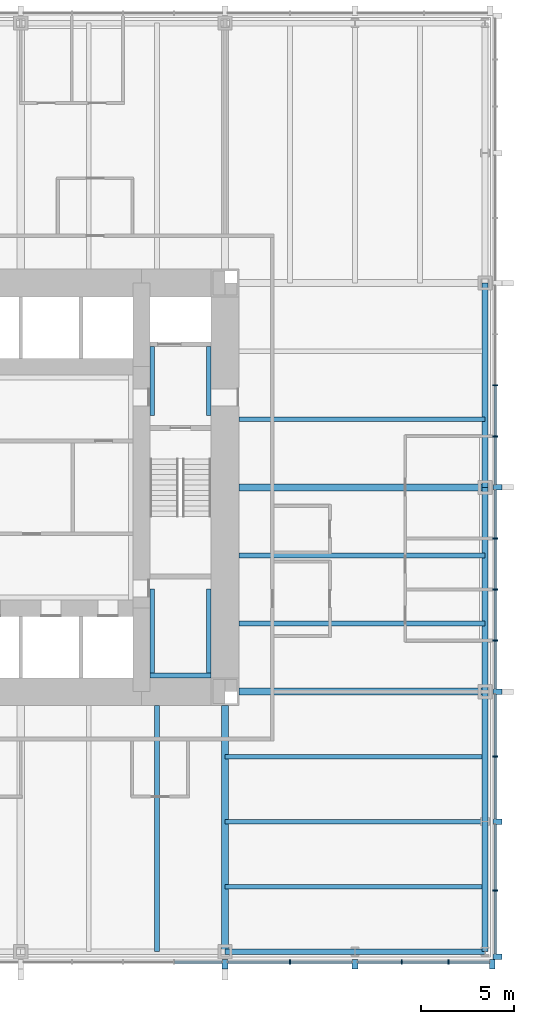
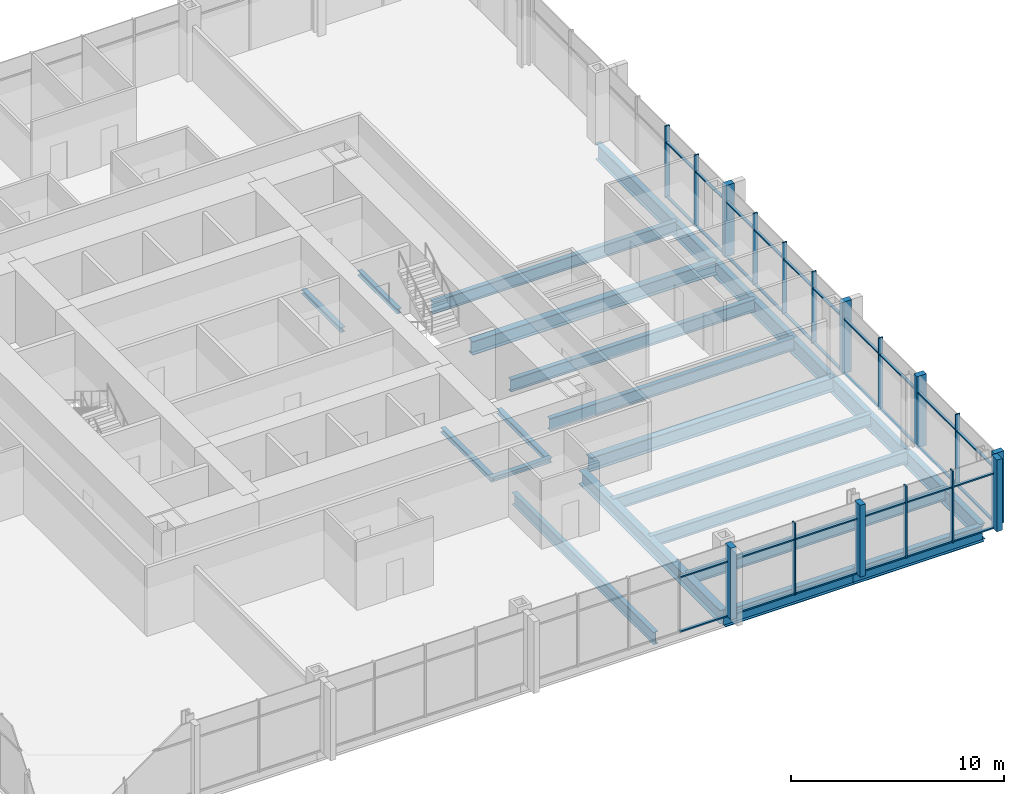
# One storey, part 4 of 12: 49 members, 21 beams, 2 elements without a shape of their own.
"""IFC4 building model written with IfcOpenShell, lengths in metres."""

from ifc_helpers import new_model, si_unit, direction, frame, origin, origin_2d, place, context, subcontext, project, spatial, rectangle, i_section, extrude, material, material_profile, profile_set, type_object, element, aggregate, save


model = new_model("IFC4")

# Units and contexts
model_context = context("Model", 3, precision=1e-05, world=origin(), true_north=direction((0.0, 1.0)))
body_context = subcontext(model_context, "Body", "Model", "MODEL_VIEW")
ifc_project = project(units=[si_unit("LENGTHUNIT", "METRE"), si_unit("AREAUNIT", "SQUARE_METRE"), si_unit("VOLUMEUNIT", "CUBIC_METRE"), si_unit("PLANEANGLEUNIT", "RADIAN"), si_unit("MASSUNIT", "GRAM", prefix="KILO")], contexts=[model_context])

# Site, building, storey
site_placement = place(None, origin())
site = spatial("IfcSite", under=ifc_project, at=site_placement, CompositionType="ELEMENT")
building_placement = place(site_placement, origin())
building = spatial("IfcBuilding", under=site, at=building_placement, Name="Trevanion Tower", CompositionType="ELEMENT")
storey_placement = place(building_placement, frame((0.0, 0.0, 20.10009765625)))
storey = spatial("IfcBuildingStorey", under=building, at=storey_placement, Name="L04", CompositionType="ELEMENT", Elevation=20.10009765625)

# Beams
ifc_material_1 = material(Name="Steel ASTM A992 Grade 50", Category="steel")
ifc_material_profile_1 = material_profile(ifc_material_1, i_section(OverallWidth=0.25390625, OverallDepth=0.700927734375, WebThickness=0.015380859375, FlangeThickness=0.02783203125, at=origin_2d()), Name="W27X129")
ifc_profile_set_1 = profile_set([ifc_material_profile_1], Name="Steel ASTM A992 Grade 50")
beam_type_1 = type_object("IfcBeamType", Name="B3 W27X129", PredefinedType="BEAM", material=ifc_profile_set_1)
for number, where, z_axis, x_axis, name in (
    (1, (11.75, -7.333251953125, -0.54052734375), (1.0, 0.0, 0.0), (0.0, 1.0, 0.0), "B3 L04"),
    (2, (11.75, -3.666748046875, -0.54052734375), (1.0, 0.0, 0.0), (0.0, 1.0, 0.0), "B3 L04"),
    (3, (11.75, 3.666748046875, -0.54052734375), (1.0, 0.0, 0.0), (0.0, 1.0, 0.0), "B3 L04"),
    (4, (7.333251953125, -11.75, -0.54052734375), (0.0, -1.0, 0.0), (1.0, 0.0, 0.0), "B3 L04"),
):
    element("IfcBeam", number, at=place(storey_placement, frame(where, z_axis=z_axis, x_axis=x_axis)), inside=storey, type_object=beam_type_1, Name=name, PredefinedType="BEAM", context=body_context, shape_type="SweptSolid", body=[
        extrude(i_section(OverallWidth=0.25390625, OverallDepth=0.700927734375, WebThickness=0.015380859375, FlangeThickness=0.02783203125, at=origin_2d()), origin(), (0.0, 0.0, 1.0), 13.25),
    ])
ifc_material_2 = material(Name="Steel ASTM A992 Grade 50", Category="steel")
ifc_material_profile_2 = material_profile(ifc_material_2, i_section(OverallWidth=0.256591796875, OverallDepth=0.693359375, WebThickness=0.014404296875, FlangeThickness=0.023681640625, at=origin_2d()), Name="W27X114")
ifc_profile_set_2 = profile_set([ifc_material_profile_2], Name="Steel ASTM A992 Grade 50")
beam_type_2 = type_object("IfcBeamType", Name="B4 W27X114", PredefinedType="BEAM", material=ifc_profile_set_2)
for number, where, z_axis, x_axis, name in (
    (5, (11.0, -14.5, -0.536865234375), (1.0, 0.0, 0.0), (0.0, 1.0, 0.0), "B4 L04"),
    (6, (11.0, -18.0, -0.536865234375), (1.0, 0.0, 0.0), (0.0, 1.0, 0.0), "B4 L04"),
    (7, (11.0, -21.5, -0.536865234375), (1.0, 0.0, 0.0), (0.0, 1.0, 0.0), "B4 L04"),
):
    element("IfcBeam", number, at=place(storey_placement, frame(where, z_axis=z_axis, x_axis=x_axis)), inside=storey, type_object=beam_type_2, Name=name, PredefinedType="BEAM", context=body_context, shape_type="SweptSolid", body=[
        extrude(i_section(OverallWidth=0.256591796875, OverallDepth=0.693359375, WebThickness=0.014404296875, FlangeThickness=0.023681640625, at=origin_2d()), origin(), (0.0, 0.0, 1.0), 14.0),
    ])

# Curtain wall, members
ifc_material_3 = material(Name="Aluminium and glass", Category="aluminium")
curtain_wall_type = type_object("IfcCurtainWallType", Name="CW1 curtain wall", PredefinedType="USERDEFINED", material=ifc_material_3)
curtain_wall_1_placement = place(storey_placement, origin())
curtain_wall_1 = element("IfcCurtainWall", 8, at=curtain_wall_1_placement, inside=storey, type_object=curtain_wall_type, Name="CW1 L04 0", ObjectType="UNITISED CURTAIN WALL", PredefinedType="USERDEFINED")
ifc_material_4 = material(Name="Aluminium extrusion, anodised bronze", Category="aluminium")
ifc_material_profile_3 = material_profile(ifc_material_4, rectangle(XDim=0.074951171875, YDim=0.25, at=origin_2d()), Name="CW1 mullion")
ifc_profile_set_3 = profile_set([ifc_material_profile_3], Name="Aluminium extrusion, anodised bronze")
member_type_1 = type_object("IfcMemberType", Name="CW1 mullion", PredefinedType="MULLION", material=ifc_profile_set_3)
member_1_placement = place(storey_placement, frame((25.550048828125, -21.7099609375, -0.190185546875), z_axis=(0.0, 0.0, 1.0), x_axis=(0.0, 1.0, 0.0)))
member_1 = element("IfcMember", 9, at=member_1_placement, type_object=member_type_1, Name="CW1 mullion 2", PredefinedType="MULLION", context=body_context, shape_type="SweptSolid", body=[
    extrude(rectangle(XDim=0.074951171875, YDim=0.25, at=origin_2d()), origin(), (0.0, 0.0, 1.0), 4.10009765625),
])
member_2_placement = place(storey_placement, frame((25.550048828125, -14.5, -0.190185546875), z_axis=(0.0, 0.0, 1.0), x_axis=(0.0, 1.0, 0.0)))
member_2 = element("IfcMember", 10, at=member_2_placement, type_object=member_type_1, Name="CW1 mullion 4", PredefinedType="MULLION", context=body_context, shape_type="SweptSolid", body=[
    extrude(rectangle(XDim=0.074951171875, YDim=0.25, at=origin_2d()), origin(), (0.0, 0.0, 1.0), 4.10009765625),
])
member_3_placement = place(storey_placement, frame((25.550048828125, -8.25, -0.190185546875), z_axis=(0.0, 0.0, 1.0), x_axis=(0.0, 1.0, 0.0)))
member_3 = element("IfcMember", 11, at=member_3_placement, type_object=member_type_1, Name="CW1 mullion 6", PredefinedType="MULLION", context=body_context, shape_type="SweptSolid", body=[
    extrude(rectangle(XDim=0.074951171875, YDim=0.25, at=origin_2d()), origin(), (0.0, 0.0, 1.0), 4.10009765625),
])
member_4_placement = place(storey_placement, frame((25.550048828125, -5.5, -0.190185546875), z_axis=(0.0, 0.0, 1.0), x_axis=(0.0, 1.0, 0.0)))
member_4 = element("IfcMember", 12, at=member_4_placement, type_object=member_type_1, Name="CW1 mullion 7", PredefinedType="MULLION", context=body_context, shape_type="SweptSolid", body=[
    extrude(rectangle(XDim=0.074951171875, YDim=0.25, at=origin_2d()), origin(), (0.0, 0.0, 1.0), 4.10009765625),
])
member_5_placement = place(storey_placement, frame((25.550048828125, -2.75, -0.190185546875), z_axis=(0.0, 0.0, 1.0), x_axis=(0.0, 1.0, 0.0)))
member_5 = element("IfcMember", 13, at=member_5_placement, type_object=member_type_1, Name="CW1 mullion 8", PredefinedType="MULLION", context=body_context, shape_type="SweptSolid", body=[
    extrude(rectangle(XDim=0.074951171875, YDim=0.25, at=origin_2d()), origin(), (0.0, 0.0, 1.0), 4.10009765625),
])
member_6_placement = place(storey_placement, frame((25.550048828125, 2.75, -0.190185546875), z_axis=(0.0, 0.0, 1.0), x_axis=(0.0, 1.0, 0.0)))
member_6 = element("IfcMember", 14, at=member_6_placement, type_object=member_type_1, Name="CW1 mullion 10", PredefinedType="MULLION", context=body_context, shape_type="SweptSolid", body=[
    extrude(rectangle(XDim=0.074951171875, YDim=0.25, at=origin_2d()), origin(), (0.0, 0.0, 1.0), 4.10009765625),
])
member_7_placement = place(storey_placement, frame((25.550048828125, 5.5, -0.190185546875), z_axis=(0.0, 0.0, 1.0), x_axis=(0.0, 1.0, 0.0)))
member_7 = element("IfcMember", 15, at=member_7_placement, type_object=member_type_1, Name="CW1 mullion 11", PredefinedType="MULLION", context=body_context, shape_type="SweptSolid", body=[
    extrude(rectangle(XDim=0.074951171875, YDim=0.25, at=origin_2d()), origin(), (0.0, 0.0, 1.0), 4.10009765625),
])

curtain_wall_2_placement = place(storey_placement, origin())
curtain_wall_2 = element("IfcCurtainWall", 16, at=curtain_wall_2_placement, inside=storey, type_object=curtain_wall_type, Name="CW1 L04 3", ObjectType="UNITISED CURTAIN WALL", PredefinedType="USERDEFINED")
member_8_placement = place(storey_placement, frame((14.5, -25.550048828125, -0.190185546875), z_axis=(0.0, 0.0, 1.0), x_axis=(1.0, 0.0, 0.0)))
member_8 = element("IfcMember", 17, at=member_8_placement, type_object=member_type_1, Name="CW1 mullion 14", PredefinedType="MULLION", context=body_context, shape_type="SweptSolid", body=[
    extrude(rectangle(XDim=0.074951171875, YDim=0.25, at=origin_2d()), origin(), (0.0, 0.0, 1.0), 4.10009765625),
])
member_9_placement = place(storey_placement, frame((20.5166015625, -25.550048828125, -0.190185546875), z_axis=(0.0, 0.0, 1.0), x_axis=(1.0, 0.0, 0.0)))
member_9 = element("IfcMember", 18, at=member_9_placement, type_object=member_type_1, Name="CW1 mullion 16", PredefinedType="MULLION", context=body_context, shape_type="SweptSolid", body=[
    extrude(rectangle(XDim=0.074951171875, YDim=0.25, at=origin_2d()), origin(), (0.0, 0.0, 1.0), 4.10009765625),
])
member_10_placement = place(storey_placement, frame((23.033203125, -25.550048828125, -0.190185546875), z_axis=(0.0, 0.0, 1.0), x_axis=(1.0, 0.0, 0.0)))
member_10 = element("IfcMember", 19, at=member_10_placement, type_object=member_type_1, Name="CW1 mullion 17", PredefinedType="MULLION", context=body_context, shape_type="SweptSolid", body=[
    extrude(rectangle(XDim=0.074951171875, YDim=0.25, at=origin_2d()), origin(), (0.0, 0.0, 1.0), 4.10009765625),
])

# Member
ifc_material_5 = material(Name="Aluminium extrusion, anodised bronze", Category="aluminium")
ifc_material_profile_4 = material_profile(ifc_material_5, rectangle(XDim=0.300048828125, YDim=0.5, at=origin_2d()), Name="CW1 pier mullion")
ifc_profile_set_4 = profile_set([ifc_material_profile_4], Name="Aluminium extrusion, anodised bronze")
member_type_2 = type_object("IfcMemberType", Name="CW1 pier mullion", PredefinedType="MULLION", material=ifc_profile_set_4)
member_11_placement = place(storey_placement, frame((25.675048828125, -25.27001953125, -0.190185546875), z_axis=(0.0, 0.0, 1.0), x_axis=(0.0, 1.0, 0.0)))
member_11 = element("IfcMember", 20, at=member_11_placement, type_object=member_type_2, Name="CW1 pier mullion 1", PredefinedType="MULLION", context=body_context, shape_type="SweptSolid", body=[
    extrude(rectangle(XDim=0.300048828125, YDim=0.5, at=origin_2d()), origin(), (0.0, 0.0, 1.0), 4.10009765625),
])

member_12_placement = place(storey_placement, frame((25.675048828125, -18.0, -0.190185546875), z_axis=(0.0, 0.0, 1.0), x_axis=(0.0, 1.0, 0.0)))
member_12 = element("IfcMember", 21, at=member_12_placement, type_object=member_type_2, Name="CW1 pier mullion 3", PredefinedType="MULLION", context=body_context, shape_type="SweptSolid", body=[
    extrude(rectangle(XDim=0.300048828125, YDim=0.5, at=origin_2d()), origin(), (0.0, 0.0, 1.0), 4.10009765625),
])

member_13_placement = place(storey_placement, frame((25.675048828125, -11.0, -0.190185546875), z_axis=(0.0, 0.0, 1.0), x_axis=(0.0, 1.0, 0.0)))
member_13 = element("IfcMember", 22, at=member_13_placement, type_object=member_type_2, Name="CW1 pier mullion 5", PredefinedType="MULLION", context=body_context, shape_type="SweptSolid", body=[
    extrude(rectangle(XDim=0.300048828125, YDim=0.5, at=origin_2d()), origin(), (0.0, 0.0, 1.0), 4.10009765625),
])

member_14_placement = place(storey_placement, frame((25.675048828125, 0.0, -0.190185546875), z_axis=(0.0, 0.0, 1.0), x_axis=(0.0, 1.0, 0.0)))
member_14 = element("IfcMember", 23, at=member_14_placement, type_object=member_type_2, Name="CW1 pier mullion 9", PredefinedType="MULLION", context=body_context, shape_type="SweptSolid", body=[
    extrude(rectangle(XDim=0.300048828125, YDim=0.5, at=origin_2d()), origin(), (0.0, 0.0, 1.0), 4.10009765625),
])

member_15_placement = place(storey_placement, frame((11.0, -25.675048828125, -0.190185546875), z_axis=(0.0, 0.0, 1.0), x_axis=(1.0, 0.0, 0.0)))
member_15 = element("IfcMember", 24, at=member_15_placement, type_object=member_type_2, Name="CW1 pier mullion 13", PredefinedType="MULLION", context=body_context, shape_type="SweptSolid", body=[
    extrude(rectangle(XDim=0.300048828125, YDim=0.5, at=origin_2d()), origin(), (0.0, 0.0, 1.0), 4.10009765625),
])

member_16_placement = place(storey_placement, frame((18.0, -25.675048828125, -0.190185546875), z_axis=(0.0, 0.0, 1.0), x_axis=(1.0, 0.0, 0.0)))
member_16 = element("IfcMember", 25, at=member_16_placement, type_object=member_type_2, Name="CW1 pier mullion 15", PredefinedType="MULLION", context=body_context, shape_type="SweptSolid", body=[
    extrude(rectangle(XDim=0.300048828125, YDim=0.5, at=origin_2d()), origin(), (0.0, 0.0, 1.0), 4.10009765625),
])

member_17_placement = place(storey_placement, frame((25.39990234375, -25.675048828125, -0.190185546875), z_axis=(0.0, 0.0, 1.0), x_axis=(1.0, 0.0, 0.0)))
member_17 = element("IfcMember", 26, at=member_17_placement, type_object=member_type_2, Name="CW1 pier mullion 18", PredefinedType="MULLION", context=body_context, shape_type="SweptSolid", body=[
    extrude(rectangle(XDim=0.300048828125, YDim=0.5, at=origin_2d()), origin(), (0.0, 0.0, 1.0), 4.10009765625),
])

ifc_material_6 = material(Name="Aluminium extrusion, anodised bronze", Category="aluminium")
ifc_material_profile_5 = material_profile(ifc_material_6, rectangle(XDim=0.14990234375, YDim=0.074951171875, at=origin_2d()), Name="CW1 transom")
ifc_profile_set_5 = profile_set([ifc_material_profile_5], Name="Aluminium extrusion, anodised bronze")
member_type_3 = type_object("IfcMemberType", Name="CW1 transom", PredefinedType="USERDEFINED", material=ifc_profile_set_5)
member_18_placement = place(storey_placement, frame((25.550048828125, -25.1201171875, -0.152587890625), z_axis=(0.0, 1.0, 0.0), x_axis=(-1.0, 0.0, 0.0)))
member_18 = element("IfcMember", 27, at=member_18_placement, type_object=member_type_3, Name="CW1 transom 1.1", ObjectType="TRANSOM", PredefinedType="USERDEFINED", context=body_context, shape_type="SweptSolid", body=[
    extrude(rectangle(XDim=0.14990234375, YDim=0.074951171875, at=origin_2d()), origin(), (0.0, 0.0, 1.0), 3.37255859375),
])

member_19_placement = place(storey_placement, frame((25.550048828125, -25.1201171875, 2.9599609375), z_axis=(0.0, 1.0, 0.0), x_axis=(-1.0, 0.0, 0.0)))
member_19 = element("IfcMember", 28, at=member_19_placement, type_object=member_type_3, Name="CW1 transom 1.2", ObjectType="TRANSOM", PredefinedType="USERDEFINED", context=body_context, shape_type="SweptSolid", body=[
    extrude(rectangle(XDim=0.14990234375, YDim=0.074951171875, at=origin_2d()), origin(), (0.0, 0.0, 1.0), 3.37255859375),
])

member_20_placement = place(storey_placement, frame((25.550048828125, -21.672607421875, -0.152587890625), z_axis=(0.0, 1.0, 0.0), x_axis=(-1.0, 0.0, 0.0)))
member_20 = element("IfcMember", 29, at=member_20_placement, type_object=member_type_3, Name="CW1 transom 2.1", ObjectType="TRANSOM", PredefinedType="USERDEFINED", context=body_context, shape_type="SweptSolid", body=[
    extrude(rectangle(XDim=0.14990234375, YDim=0.074951171875, at=origin_2d()), origin(), (0.0, 0.0, 1.0), 3.522705078125),
])

member_21_placement = place(storey_placement, frame((25.550048828125, -21.672607421875, 2.9599609375), z_axis=(0.0, 1.0, 0.0), x_axis=(-1.0, 0.0, 0.0)))
member_21 = element("IfcMember", 30, at=member_21_placement, type_object=member_type_3, Name="CW1 transom 2.2", ObjectType="TRANSOM", PredefinedType="USERDEFINED", context=body_context, shape_type="SweptSolid", body=[
    extrude(rectangle(XDim=0.14990234375, YDim=0.074951171875, at=origin_2d()), origin(), (0.0, 0.0, 1.0), 3.522705078125),
])

member_22_placement = place(storey_placement, frame((25.550048828125, -17.85009765625, -0.152587890625), z_axis=(0.0, 1.0, 0.0), x_axis=(-1.0, 0.0, 0.0)))
member_22 = element("IfcMember", 31, at=member_22_placement, type_object=member_type_3, Name="CW1 transom 3.1", ObjectType="TRANSOM", PredefinedType="USERDEFINED", context=body_context, shape_type="SweptSolid", body=[
    extrude(rectangle(XDim=0.14990234375, YDim=0.074951171875, at=origin_2d()), origin(), (0.0, 0.0, 1.0), 3.3125),
])

member_23_placement = place(storey_placement, frame((25.550048828125, -17.85009765625, 2.9599609375), z_axis=(0.0, 1.0, 0.0), x_axis=(-1.0, 0.0, 0.0)))
member_23 = element("IfcMember", 32, at=member_23_placement, type_object=member_type_3, Name="CW1 transom 3.2", ObjectType="TRANSOM", PredefinedType="USERDEFINED", context=body_context, shape_type="SweptSolid", body=[
    extrude(rectangle(XDim=0.14990234375, YDim=0.074951171875, at=origin_2d()), origin(), (0.0, 0.0, 1.0), 3.3125),
])

member_24_placement = place(storey_placement, frame((25.550048828125, -14.46240234375, -0.152587890625), z_axis=(0.0, 1.0, 0.0), x_axis=(-1.0, 0.0, 0.0)))
member_24 = element("IfcMember", 33, at=member_24_placement, type_object=member_type_3, Name="CW1 transom 4.1", ObjectType="TRANSOM", PredefinedType="USERDEFINED", context=body_context, shape_type="SweptSolid", body=[
    extrude(rectangle(XDim=0.14990234375, YDim=0.074951171875, at=origin_2d()), origin(), (0.0, 0.0, 1.0), 3.3125),
])

member_25_placement = place(storey_placement, frame((25.550048828125, -14.46240234375, 2.9599609375), z_axis=(0.0, 1.0, 0.0), x_axis=(-1.0, 0.0, 0.0)))
member_25 = element("IfcMember", 34, at=member_25_placement, type_object=member_type_3, Name="CW1 transom 4.2", ObjectType="TRANSOM", PredefinedType="USERDEFINED", context=body_context, shape_type="SweptSolid", body=[
    extrude(rectangle(XDim=0.14990234375, YDim=0.074951171875, at=origin_2d()), origin(), (0.0, 0.0, 1.0), 3.3125),
])

member_26_placement = place(storey_placement, frame((25.550048828125, -10.85009765625, -0.152587890625), z_axis=(0.0, 1.0, 0.0), x_axis=(-1.0, 0.0, 0.0)))
member_26 = element("IfcMember", 35, at=member_26_placement, type_object=member_type_3, Name="CW1 transom 5.1", ObjectType="TRANSOM", PredefinedType="USERDEFINED", context=body_context, shape_type="SweptSolid", body=[
    extrude(rectangle(XDim=0.14990234375, YDim=0.074951171875, at=origin_2d()), origin(), (0.0, 0.0, 1.0), 2.5625),
])

member_27_placement = place(storey_placement, frame((25.550048828125, -10.85009765625, 2.9599609375), z_axis=(0.0, 1.0, 0.0), x_axis=(-1.0, 0.0, 0.0)))
member_27 = element("IfcMember", 36, at=member_27_placement, type_object=member_type_3, Name="CW1 transom 5.2", ObjectType="TRANSOM", PredefinedType="USERDEFINED", context=body_context, shape_type="SweptSolid", body=[
    extrude(rectangle(XDim=0.14990234375, YDim=0.074951171875, at=origin_2d()), origin(), (0.0, 0.0, 1.0), 2.5625),
])

member_28_placement = place(storey_placement, frame((25.550048828125, -8.21240234375, -0.152587890625), z_axis=(0.0, 1.0, 0.0), x_axis=(-1.0, 0.0, 0.0)))
member_28 = element("IfcMember", 37, at=member_28_placement, type_object=member_type_3, Name="CW1 transom 6.1", ObjectType="TRANSOM", PredefinedType="USERDEFINED", context=body_context, shape_type="SweptSolid", body=[
    extrude(rectangle(XDim=0.14990234375, YDim=0.074951171875, at=origin_2d()), origin(), (0.0, 0.0, 1.0), 2.6748046875),
])

member_29_placement = place(storey_placement, frame((25.550048828125, -8.21240234375, 2.9599609375), z_axis=(0.0, 1.0, 0.0), x_axis=(-1.0, 0.0, 0.0)))
member_29 = element("IfcMember", 38, at=member_29_placement, type_object=member_type_3, Name="CW1 transom 6.2", ObjectType="TRANSOM", PredefinedType="USERDEFINED", context=body_context, shape_type="SweptSolid", body=[
    extrude(rectangle(XDim=0.14990234375, YDim=0.074951171875, at=origin_2d()), origin(), (0.0, 0.0, 1.0), 2.6748046875),
])

member_30_placement = place(storey_placement, frame((25.550048828125, -5.46240234375, -0.152587890625), z_axis=(0.0, 1.0, 0.0), x_axis=(-1.0, 0.0, 0.0)))
member_30 = element("IfcMember", 39, at=member_30_placement, type_object=member_type_3, Name="CW1 transom 7.1", ObjectType="TRANSOM", PredefinedType="USERDEFINED", context=body_context, shape_type="SweptSolid", body=[
    extrude(rectangle(XDim=0.14990234375, YDim=0.074951171875, at=origin_2d()), origin(), (0.0, 0.0, 1.0), 2.6748046875),
])

member_31_placement = place(storey_placement, frame((25.550048828125, -5.46240234375, 2.9599609375), z_axis=(0.0, 1.0, 0.0), x_axis=(-1.0, 0.0, 0.0)))
member_31 = element("IfcMember", 40, at=member_31_placement, type_object=member_type_3, Name="CW1 transom 7.2", ObjectType="TRANSOM", PredefinedType="USERDEFINED", context=body_context, shape_type="SweptSolid", body=[
    extrude(rectangle(XDim=0.14990234375, YDim=0.074951171875, at=origin_2d()), origin(), (0.0, 0.0, 1.0), 2.6748046875),
])

member_32_placement = place(storey_placement, frame((25.550048828125, -2.71240234375, -0.152587890625), z_axis=(0.0, 1.0, 0.0), x_axis=(-1.0, 0.0, 0.0)))
member_32 = element("IfcMember", 41, at=member_32_placement, type_object=member_type_3, Name="CW1 transom 8.1", ObjectType="TRANSOM", PredefinedType="USERDEFINED", context=body_context, shape_type="SweptSolid", body=[
    extrude(rectangle(XDim=0.14990234375, YDim=0.074951171875, at=origin_2d()), origin(), (0.0, 0.0, 1.0), 2.5625),
])

member_33_placement = place(storey_placement, frame((25.550048828125, -2.71240234375, 2.9599609375), z_axis=(0.0, 1.0, 0.0), x_axis=(-1.0, 0.0, 0.0)))
member_33 = element("IfcMember", 42, at=member_33_placement, type_object=member_type_3, Name="CW1 transom 8.2", ObjectType="TRANSOM", PredefinedType="USERDEFINED", context=body_context, shape_type="SweptSolid", body=[
    extrude(rectangle(XDim=0.14990234375, YDim=0.074951171875, at=origin_2d()), origin(), (0.0, 0.0, 1.0), 2.5625),
])

member_34_placement = place(storey_placement, frame((25.550048828125, 0.14990234375, -0.152587890625), z_axis=(0.0, 1.0, 0.0), x_axis=(-1.0, 0.0, 0.0)))
member_34 = element("IfcMember", 43, at=member_34_placement, type_object=member_type_3, Name="CW1 transom 9.1", ObjectType="TRANSOM", PredefinedType="USERDEFINED", context=body_context, shape_type="SweptSolid", body=[
    extrude(rectangle(XDim=0.14990234375, YDim=0.074951171875, at=origin_2d()), origin(), (0.0, 0.0, 1.0), 2.5625),
])

member_35_placement = place(storey_placement, frame((25.550048828125, 0.14990234375, 2.9599609375), z_axis=(0.0, 1.0, 0.0), x_axis=(-1.0, 0.0, 0.0)))
member_35 = element("IfcMember", 44, at=member_35_placement, type_object=member_type_3, Name="CW1 transom 9.2", ObjectType="TRANSOM", PredefinedType="USERDEFINED", context=body_context, shape_type="SweptSolid", body=[
    extrude(rectangle(XDim=0.14990234375, YDim=0.074951171875, at=origin_2d()), origin(), (0.0, 0.0, 1.0), 2.5625),
])

member_36_placement = place(storey_placement, frame((25.550048828125, 2.78759765625, -0.152587890625), z_axis=(0.0, 1.0, 0.0), x_axis=(-1.0, 0.0, 0.0)))
member_36 = element("IfcMember", 45, at=member_36_placement, type_object=member_type_3, Name="CW1 transom 10.1", ObjectType="TRANSOM", PredefinedType="USERDEFINED", context=body_context, shape_type="SweptSolid", body=[
    extrude(rectangle(XDim=0.14990234375, YDim=0.074951171875, at=origin_2d()), origin(), (0.0, 0.0, 1.0), 2.6748046875),
])

member_37_placement = place(storey_placement, frame((25.550048828125, 2.78759765625, 2.9599609375), z_axis=(0.0, 1.0, 0.0), x_axis=(-1.0, 0.0, 0.0)))
member_37 = element("IfcMember", 46, at=member_37_placement, type_object=member_type_3, Name="CW1 transom 10.2", ObjectType="TRANSOM", PredefinedType="USERDEFINED", context=body_context, shape_type="SweptSolid", body=[
    extrude(rectangle(XDim=0.14990234375, YDim=0.074951171875, at=origin_2d()), origin(), (0.0, 0.0, 1.0), 2.6748046875),
])

aggregate(curtain_wall_1, [member_11, member_1, member_12, member_2, member_13, member_3, member_4, member_5, member_14, member_6, member_7, member_18, member_19, member_20, member_21, member_22, member_23, member_24, member_25, member_26, member_27, member_28, member_29, member_30, member_31, member_32, member_33, member_34, member_35, member_36, member_37])

member_38_placement = place(storey_placement, frame((8.28759765625, -25.550048828125, -0.152587890625), z_axis=(1.0, 0.0, 0.0), x_axis=(0.0, 1.0, 0.0)))
member_38 = element("IfcMember", 47, at=member_38_placement, type_object=member_type_3, Name="CW1 transom 12.1", ObjectType="TRANSOM", PredefinedType="USERDEFINED", context=body_context, shape_type="SweptSolid", body=[
    extrude(rectangle(XDim=0.14990234375, YDim=0.074951171875, at=origin_2d()), origin(), (0.0, 0.0, 1.0), 2.5625),
])

member_39_placement = place(storey_placement, frame((8.28759765625, -25.550048828125, 2.9599609375), z_axis=(1.0, 0.0, 0.0), x_axis=(0.0, 1.0, 0.0)))
member_39 = element("IfcMember", 48, at=member_39_placement, type_object=member_type_3, Name="CW1 transom 12.2", ObjectType="TRANSOM", PredefinedType="USERDEFINED", context=body_context, shape_type="SweptSolid", body=[
    extrude(rectangle(XDim=0.14990234375, YDim=0.074951171875, at=origin_2d()), origin(), (0.0, 0.0, 1.0), 2.5625),
])

member_40_placement = place(storey_placement, frame((11.14990234375, -25.550048828125, -0.152587890625), z_axis=(1.0, 0.0, 0.0), x_axis=(0.0, 1.0, 0.0)))
member_40 = element("IfcMember", 49, at=member_40_placement, type_object=member_type_3, Name="CW1 transom 13.1", ObjectType="TRANSOM", PredefinedType="USERDEFINED", context=body_context, shape_type="SweptSolid", body=[
    extrude(rectangle(XDim=0.14990234375, YDim=0.074951171875, at=origin_2d()), origin(), (0.0, 0.0, 1.0), 3.3125),
])

member_41_placement = place(storey_placement, frame((11.14990234375, -25.550048828125, 2.9599609375), z_axis=(1.0, 0.0, 0.0), x_axis=(0.0, 1.0, 0.0)))
member_41 = element("IfcMember", 50, at=member_41_placement, type_object=member_type_3, Name="CW1 transom 13.2", ObjectType="TRANSOM", PredefinedType="USERDEFINED", context=body_context, shape_type="SweptSolid", body=[
    extrude(rectangle(XDim=0.14990234375, YDim=0.074951171875, at=origin_2d()), origin(), (0.0, 0.0, 1.0), 3.3125),
])

member_42_placement = place(storey_placement, frame((14.53759765625, -25.550048828125, -0.152587890625), z_axis=(1.0, 0.0, 0.0), x_axis=(0.0, 1.0, 0.0)))
member_42 = element("IfcMember", 51, at=member_42_placement, type_object=member_type_3, Name="CW1 transom 14.1", ObjectType="TRANSOM", PredefinedType="USERDEFINED", context=body_context, shape_type="SweptSolid", body=[
    extrude(rectangle(XDim=0.14990234375, YDim=0.074951171875, at=origin_2d()), origin(), (0.0, 0.0, 1.0), 3.3125),
])

member_43_placement = place(storey_placement, frame((14.53759765625, -25.550048828125, 2.9599609375), z_axis=(1.0, 0.0, 0.0), x_axis=(0.0, 1.0, 0.0)))
member_43 = element("IfcMember", 52, at=member_43_placement, type_object=member_type_3, Name="CW1 transom 14.2", ObjectType="TRANSOM", PredefinedType="USERDEFINED", context=body_context, shape_type="SweptSolid", body=[
    extrude(rectangle(XDim=0.14990234375, YDim=0.074951171875, at=origin_2d()), origin(), (0.0, 0.0, 1.0), 3.3125),
])

member_44_placement = place(storey_placement, frame((18.14990234375, -25.550048828125, -0.152587890625), z_axis=(1.0, 0.0, 0.0), x_axis=(0.0, 1.0, 0.0)))
member_44 = element("IfcMember", 53, at=member_44_placement, type_object=member_type_3, Name="CW1 transom 15.1", ObjectType="TRANSOM", PredefinedType="USERDEFINED", context=body_context, shape_type="SweptSolid", body=[
    extrude(rectangle(XDim=0.14990234375, YDim=0.074951171875, at=origin_2d()), origin(), (0.0, 0.0, 1.0), 2.329345703125),
])

member_45_placement = place(storey_placement, frame((18.14990234375, -25.550048828125, 2.9599609375), z_axis=(1.0, 0.0, 0.0), x_axis=(0.0, 1.0, 0.0)))
member_45 = element("IfcMember", 54, at=member_45_placement, type_object=member_type_3, Name="CW1 transom 15.2", ObjectType="TRANSOM", PredefinedType="USERDEFINED", context=body_context, shape_type="SweptSolid", body=[
    extrude(rectangle(XDim=0.14990234375, YDim=0.074951171875, at=origin_2d()), origin(), (0.0, 0.0, 1.0), 2.329345703125),
])

member_46_placement = place(storey_placement, frame((20.55419921875, -25.550048828125, -0.152587890625), z_axis=(1.0, 0.0, 0.0), x_axis=(0.0, 1.0, 0.0)))
member_46 = element("IfcMember", 55, at=member_46_placement, type_object=member_type_3, Name="CW1 transom 16.1", ObjectType="TRANSOM", PredefinedType="USERDEFINED", context=body_context, shape_type="SweptSolid", body=[
    extrude(rectangle(XDim=0.14990234375, YDim=0.074951171875, at=origin_2d()), origin(), (0.0, 0.0, 1.0), 2.441650390625),
])

member_47_placement = place(storey_placement, frame((20.55419921875, -25.550048828125, 2.9599609375), z_axis=(1.0, 0.0, 0.0), x_axis=(0.0, 1.0, 0.0)))
member_47 = element("IfcMember", 56, at=member_47_placement, type_object=member_type_3, Name="CW1 transom 16.2", ObjectType="TRANSOM", PredefinedType="USERDEFINED", context=body_context, shape_type="SweptSolid", body=[
    extrude(rectangle(XDim=0.14990234375, YDim=0.074951171875, at=origin_2d()), origin(), (0.0, 0.0, 1.0), 2.441650390625),
])

member_48_placement = place(storey_placement, frame((23.07080078125, -25.550048828125, -0.152587890625), z_axis=(1.0, 0.0, 0.0), x_axis=(0.0, 1.0, 0.0)))
member_48 = element("IfcMember", 57, at=member_48_placement, type_object=member_type_3, Name="CW1 transom 17.1", ObjectType="TRANSOM", PredefinedType="USERDEFINED", context=body_context, shape_type="SweptSolid", body=[
    extrude(rectangle(XDim=0.14990234375, YDim=0.074951171875, at=origin_2d()), origin(), (0.0, 0.0, 1.0), 2.17919921875),
])

member_49_placement = place(storey_placement, frame((23.07080078125, -25.550048828125, 2.9599609375), z_axis=(1.0, 0.0, 0.0), x_axis=(0.0, 1.0, 0.0)))
member_49 = element("IfcMember", 58, at=member_49_placement, type_object=member_type_3, Name="CW1 transom 17.2", ObjectType="TRANSOM", PredefinedType="USERDEFINED", context=body_context, shape_type="SweptSolid", body=[
    extrude(rectangle(XDim=0.14990234375, YDim=0.074951171875, at=origin_2d()), origin(), (0.0, 0.0, 1.0), 2.17919921875),
])

aggregate(curtain_wall_2, [member_15, member_8, member_16, member_9, member_10, member_17, member_38, member_39, member_40, member_41, member_42, member_43, member_44, member_45, member_46, member_47, member_48, member_49])

# Beams
ifc_material_7 = material(Name="Steel ASTM A992 Grade 50", Category="steel")
ifc_material_profile_6 = material_profile(ifc_material_7, i_section(OverallWidth=0.381103515625, OverallDepth=0.77978515625, WebThickness=0.01806640625, FlangeThickness=0.0302734375, at=origin_2d()), Name="W30X191")
ifc_profile_set_6 = profile_set([ifc_material_profile_6], Name="Steel ASTM A992 Grade 50")
beam_type_3 = type_object("IfcBeamType", Name="G2 W30X191", PredefinedType="BEAM", material=ifc_profile_set_6)
for number, where, z_axis, x_axis, name in (
    (59, (11.75, -11.0, -0.580078125), (1.0, 0.0, 0.0), (0.0, 1.0, 0.0), "G2 L04"),
    (60, (11.75, 0.0, -0.580078125), (1.0, 0.0, 0.0), (0.0, 1.0, 0.0), "G2 L04"),
    (61, (11.0, -11.75, -0.580078125), (0.0, -1.0, 0.0), (1.0, 0.0, 0.0), "G2 L04"),
):
    element("IfcBeam", number, at=place(storey_placement, frame(where, z_axis=z_axis, x_axis=x_axis)), inside=storey, type_object=beam_type_3, Name=name, PredefinedType="BEAM", context=body_context, shape_type="SweptSolid", body=[
        extrude(i_section(OverallWidth=0.381103515625, OverallDepth=0.77978515625, WebThickness=0.01806640625, FlangeThickness=0.0302734375, at=origin_2d()), origin(), (0.0, 0.0, 1.0), 13.25),
    ])
ifc_material_8 = material(Name="Steel ASTM A992 Grade 50", Category="steel")
ifc_material_profile_7 = material_profile(ifc_material_8, i_section(OverallWidth=0.256591796875, OverallDepth=0.26416015625, WebThickness=0.011962890625, FlangeThickness=0.01953125, at=origin_2d()), Name="W10X68")
ifc_profile_set_7 = profile_set([ifc_material_profile_7], Name="Steel ASTM A992 Grade 50")
beam_type_4 = type_object("IfcBeamType", Name="LB1 W10X68", PredefinedType="BEAM", material=ifc_profile_set_7)
for number, where, z_axis, x_axis, name in (
    (62, (7.078369140625, 3.875, -0.332275390625), (0.0, 1.0, 0.0), (-1.0, 0.0, 0.0), "LB1 L04"),
    (63, (10.12158203125, 3.875, -0.332275390625), (0.0, 1.0, 0.0), (-1.0, 0.0, 0.0), "LB1 L04"),
):
    element("IfcBeam", number, at=place(storey_placement, frame(where, z_axis=z_axis, x_axis=x_axis)), inside=storey, type_object=beam_type_4, Name=name, PredefinedType="BEAM", context=body_context, shape_type="SweptSolid", body=[
        extrude(i_section(OverallWidth=0.256591796875, OverallDepth=0.26416015625, WebThickness=0.011962890625, FlangeThickness=0.01953125, at=origin_2d()), origin(), (0.0, 0.0, 1.0), 3.699951171875),
    ])
for number, where, z_axis, x_axis, name in (
    (64, (7.078369140625, -10.25, -0.332275390625), (0.0, 1.0, 0.0), (-1.0, 0.0, 0.0), "LB1 L04"),
    (65, (10.12158203125, -10.25, -0.332275390625), (0.0, 1.0, 0.0), (-1.0, 0.0, 0.0), "LB1 L04"),
):
    element("IfcBeam", number, at=place(storey_placement, frame(where, z_axis=z_axis, x_axis=x_axis)), inside=storey, type_object=beam_type_4, Name=name, PredefinedType="BEAM", context=body_context, shape_type="SweptSolid", body=[
        extrude(i_section(OverallWidth=0.256591796875, OverallDepth=0.26416015625, WebThickness=0.011962890625, FlangeThickness=0.01953125, at=origin_2d()), origin(), (0.0, 0.0, 1.0), 4.77490234375),
    ])
beam_placement = place(storey_placement, frame((6.949951171875, -10.12158203125, -0.332275390625), z_axis=(1.0, 0.0, 0.0), x_axis=(0.0, 1.0, 0.0)))
element("IfcBeam", 66, at=beam_placement, inside=storey, type_object=beam_type_4, Name="LB1 L04", PredefinedType="BEAM", context=body_context, shape_type="SweptSolid", body=[
    extrude(i_section(OverallWidth=0.256591796875, OverallDepth=0.26416015625, WebThickness=0.011962890625, FlangeThickness=0.01953125, at=origin_2d()), origin(), (0.0, 0.0, 1.0), 3.300048828125),
])
ifc_material_9 = material(Name="Steel ASTM A992 Grade 50", Category="steel")
ifc_material_profile_8 = material_profile(ifc_material_9, i_section(OverallWidth=0.307373046875, OverallDepth=0.927001953125, WebThickness=0.01953125, FlangeThickness=0.031982421875, at=origin_2d()), Name="W36X194")
ifc_profile_set_8 = profile_set([ifc_material_profile_8], Name="Steel ASTM A992 Grade 50")
beam_type_5 = type_object("IfcBeamType", Name="SB2 W36X194", PredefinedType="SPANDREL", material=ifc_profile_set_8)
for number, where, z_axis, x_axis, name in (
    (67, (25.0, -25.0, -0.65380859375), (0.0, 1.0, 0.0), (-1.0, 0.0, 0.0), "SB2 L04"),
    (68, (25.0, -18.0, -0.65380859375), (0.0, 1.0, 0.0), (-1.0, 0.0, 0.0), "SB2 L04"),
):
    element("IfcBeam", number, at=place(storey_placement, frame(where, z_axis=z_axis, x_axis=x_axis)), inside=storey, type_object=beam_type_5, Name=name, PredefinedType="SPANDREL", context=body_context, shape_type="SweptSolid", body=[
        extrude(i_section(OverallWidth=0.307373046875, OverallDepth=0.927001953125, WebThickness=0.01953125, FlangeThickness=0.031982421875, at=origin_2d()), origin(), (0.0, 0.0, 1.0), 7.0),
    ])
for number, where, z_axis, x_axis, name in (
    (69, (25.0, -11.0, -0.65380859375), (0.0, 1.0, 0.0), (-1.0, 0.0, 0.0), "SB2 L04"),
    (70, (25.0, 0.0, -0.65380859375), (0.0, 1.0, 0.0), (-1.0, 0.0, 0.0), "SB2 L04"),
):
    element("IfcBeam", number, at=place(storey_placement, frame(where, z_axis=z_axis, x_axis=x_axis)), inside=storey, type_object=beam_type_5, Name=name, PredefinedType="SPANDREL", context=body_context, shape_type="SweptSolid", body=[
        extrude(i_section(OverallWidth=0.307373046875, OverallDepth=0.927001953125, WebThickness=0.01953125, FlangeThickness=0.031982421875, at=origin_2d()), origin(), (0.0, 0.0, 1.0), 11.0),
    ])
for number, where, z_axis, x_axis, name in (
    (71, (11.0, -25.0, -0.65380859375), (1.0, 0.0, 0.0), (0.0, 1.0, 0.0), "SB2 L04"),
    (72, (18.0, -25.0, -0.65380859375), (1.0, 0.0, 0.0), (0.0, 1.0, 0.0), "SB2 L04"),
):
    element("IfcBeam", number, at=place(storey_placement, frame(where, z_axis=z_axis, x_axis=x_axis)), inside=storey, type_object=beam_type_5, Name=name, PredefinedType="SPANDREL", context=body_context, shape_type="SweptSolid", body=[
        extrude(i_section(OverallWidth=0.307373046875, OverallDepth=0.927001953125, WebThickness=0.01953125, FlangeThickness=0.031982421875, at=origin_2d()), origin(), (0.0, 0.0, 1.0), 7.0),
    ])

save(model, "model.ifc")
